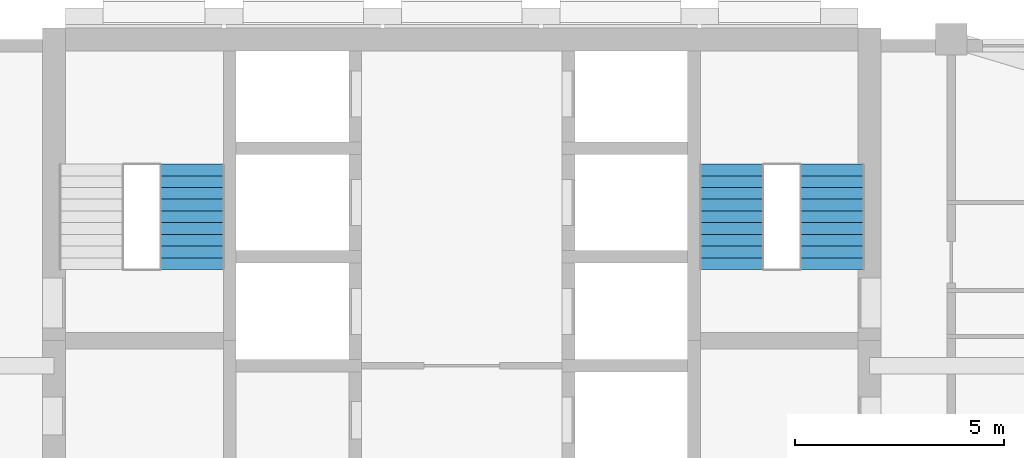
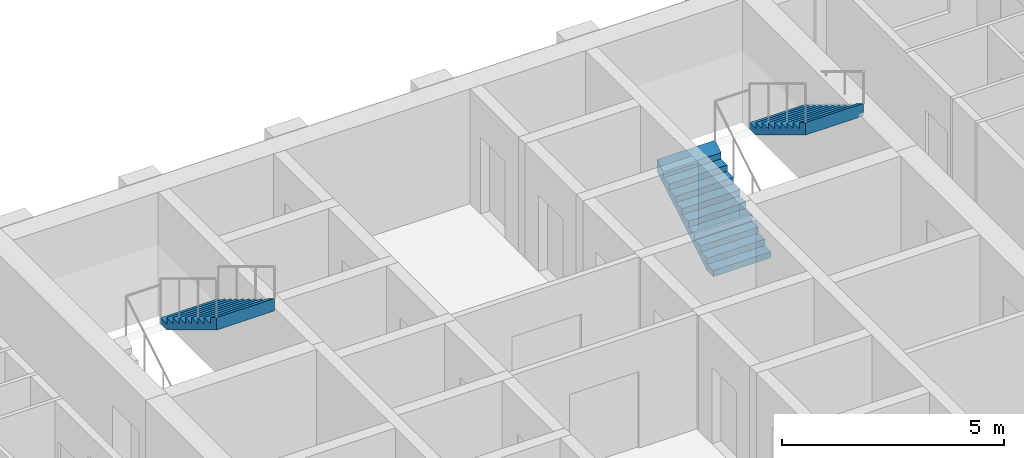
# One storey, part 11 of 13: 3 stair flights, 2 elements without a shape of their own.
"""IFC4 building model written with IfcOpenShell, lengths in metres."""

from ifc_helpers import new_model, si_unit, direction, frame, origin, place, context, subcontext, project, spatial, triangles, material, type_object, element, aggregate, save


model = new_model("IFC4")

# Units and contexts
model_context = context("Model", 3, precision=1e-05, world=origin(), true_north=direction((0.0, 1.0)))
body_context = subcontext(model_context, "Body", "Model", "MODEL_VIEW")
ifc_project = project(units=[si_unit("LENGTHUNIT", "METRE"), si_unit("AREAUNIT", "SQUARE_METRE"), si_unit("VOLUMEUNIT", "CUBIC_METRE"), si_unit("PLANEANGLEUNIT", "RADIAN"), si_unit("MASSUNIT", "GRAM", prefix="KILO")], contexts=[model_context])

# Site, building, storey
site_placement = place(None, origin())
site = spatial("IfcSite", under=ifc_project, at=site_placement, CompositionType="ELEMENT")
building_placement = place(site_placement, origin())
building = spatial("IfcBuilding", under=site, at=building_placement, Name="Ludao Terraces", CompositionType="ELEMENT")
storey_placement = place(building_placement, frame((0.0, 0.0, 165.60009765625)))
storey = spatial("IfcBuildingStorey", under=building, at=storey_placement, Name="L45", CompositionType="ELEMENT", Elevation=165.60009765625)

# Stair, stair flight
ifc_material = material(Name="Concrete C40", Category="concrete")
stair_type = type_object("IfcStairType", Name="INT Stair", PredefinedType="HALF_TURN_STAIR", material=ifc_material)
stair_1_placement = place(storey_placement, origin())
stair_1 = element("IfcStair", 1, at=stair_1_placement, inside=storey, type_object=stair_type, Name="EXIT STAIR 1", PredefinedType="HALF_TURN_STAIR")
stair_flight_type = type_object("IfcStairFlightType", Name="INT Stair flight", PredefinedType="STRAIGHT", material=ifc_material)
stair_flight_1_placement = place(storey_placement, frame((78.550048828125, 81.52001953125, 1.699951171875), z_axis=(0.0, 0.0, 1.0), x_axis=(0.0, -1.0, 0.0)))
stair_flight_1 = element("IfcStairFlight", 2, at=stair_flight_1_placement, type_object=stair_flight_type, Name="ST1 flight 2", NumberOfRisers=10, NumberOfTreads=9, PredefinedType="STRAIGHT", RiserHeight=0.17, TreadLength=0.28, context=body_context, shape_type="Tessellation", body=[
    triangles([(0.0, -0.75, 0.0), (0.0, -0.5, 0.0), (0.0, -0.25, 0.0), (0.0, 0.0, 0.0), (0.0, 0.25, 0.0), (0.0, 0.5, 0.0), (0.0, 0.75, 0.0), (0.0, -0.75, 0.169921875), (0.0, -0.5, 0.169921875), (0.0, -0.25, 0.169921875), (0.0, 0.0, 0.169921875), (0.0, 0.25, 0.169921875), (0.0, 0.5, 0.169921875), (0.0, 0.75, 0.169921875), (0.280029296875, -0.75, 0.169921875), (0.280029296875, -0.5, 0.169921875), (0.280029296875, -0.25, 0.169921875), (0.280029296875, 0.0, 0.169921875), (0.280029296875, 0.25, 0.169921875), (0.280029296875, 0.5, 0.169921875), (0.280029296875, 0.75, 0.169921875), (0.280029296875, -0.75, 0.340087890625), (0.280029296875, -0.5, 0.340087890625), (0.280029296875, -0.25, 0.340087890625), (0.280029296875, 0.0, 0.340087890625), (0.280029296875, 0.25, 0.340087890625), (0.280029296875, 0.5, 0.340087890625), (0.280029296875, 0.75, 0.340087890625), (0.56005859375, -0.75, 0.340087890625), (0.56005859375, -0.5, 0.340087890625), (0.56005859375, -0.25, 0.340087890625), (0.56005859375, 0.0, 0.340087890625), (0.56005859375, 0.25, 0.340087890625), (0.56005859375, 0.5, 0.340087890625), (0.56005859375, 0.75, 0.340087890625), (0.56005859375, -0.75, 0.510009765625), (0.56005859375, -0.5, 0.510009765625), (0.56005859375, -0.25, 0.510009765625), (0.56005859375, 0.0, 0.510009765625), (0.56005859375, 0.25, 0.510009765625), (0.56005859375, 0.5, 0.510009765625), (0.56005859375, 0.75, 0.510009765625), (0.840087890625, -0.75, 0.510009765625), (0.840087890625, -0.5, 0.510009765625), (0.840087890625, -0.25, 0.510009765625), (0.840087890625, 0.0, 0.510009765625), (0.840087890625, 0.25, 0.510009765625), (0.840087890625, 0.5, 0.510009765625), (0.840087890625, 0.75, 0.510009765625), (0.840087890625, -0.75, 0.679931640625), (0.840087890625, -0.5, 0.679931640625), (0.840087890625, -0.25, 0.679931640625), (0.840087890625, 0.0, 0.679931640625), (0.840087890625, 0.25, 0.679931640625), (0.840087890625, 0.5, 0.679931640625), (0.840087890625, 0.75, 0.679931640625), (1.1201171875, -0.75, 0.679931640625), (1.1201171875, -0.5, 0.679931640625), (1.1201171875, -0.25, 0.679931640625), (1.1201171875, 0.0, 0.679931640625), (1.1201171875, 0.25, 0.679931640625), (1.1201171875, 0.5, 0.679931640625), (1.1201171875, 0.75, 0.679931640625), (1.1201171875, -0.75, 0.85009765625), (1.1201171875, -0.5, 0.85009765625), (1.1201171875, -0.25, 0.85009765625), (1.1201171875, 0.0, 0.85009765625), (1.1201171875, 0.25, 0.85009765625), (1.1201171875, 0.5, 0.85009765625), (1.1201171875, 0.75, 0.85009765625), (1.39990234375, -0.75, 0.85009765625), (1.39990234375, -0.5, 0.85009765625), (1.39990234375, -0.25, 0.85009765625), (1.39990234375, 0.0, 0.85009765625), (1.39990234375, 0.25, 0.85009765625), (1.39990234375, 0.5, 0.85009765625), (1.39990234375, 0.75, 0.85009765625), (1.39990234375, -0.75, 1.02001953125), (1.39990234375, -0.5, 1.02001953125), (1.39990234375, -0.25, 1.02001953125), (1.39990234375, 0.0, 1.02001953125), (1.39990234375, 0.25, 1.02001953125), (1.39990234375, 0.5, 1.02001953125), (1.39990234375, 0.75, 1.02001953125), (1.679931640625, -0.75, 1.02001953125), (1.679931640625, -0.5, 1.02001953125), (1.679931640625, -0.25, 1.02001953125), (1.679931640625, 0.0, 1.02001953125), (1.679931640625, 0.25, 1.02001953125), (1.679931640625, 0.5, 1.02001953125), (1.679931640625, 0.75, 1.02001953125), (1.679931640625, -0.75, 1.18994140625), (1.679931640625, -0.5, 1.18994140625), (1.679931640625, -0.25, 1.18994140625), (1.679931640625, 0.0, 1.18994140625), (1.679931640625, 0.25, 1.18994140625), (1.679931640625, 0.5, 1.18994140625), (1.679931640625, 0.75, 1.18994140625), (1.9599609375, -0.75, 1.18994140625), (1.9599609375, -0.5, 1.18994140625), (1.9599609375, -0.25, 1.18994140625), (1.9599609375, 0.0, 1.18994140625), (1.9599609375, 0.25, 1.18994140625), (1.9599609375, 0.5, 1.18994140625), (1.9599609375, 0.75, 1.18994140625), (1.9599609375, -0.75, 1.360107421875), (1.9599609375, -0.5, 1.360107421875), (1.9599609375, -0.25, 1.360107421875), (1.9599609375, 0.0, 1.360107421875), (1.9599609375, 0.25, 1.360107421875), (1.9599609375, 0.5, 1.360107421875), (1.9599609375, 0.75, 1.360107421875), (2.239990234375, -0.75, 1.360107421875), (2.239990234375, -0.5, 1.360107421875), (2.239990234375, -0.25, 1.360107421875), (2.239990234375, 0.0, 1.360107421875), (2.239990234375, 0.25, 1.360107421875), (2.239990234375, 0.5, 1.360107421875), (2.239990234375, 0.75, 1.360107421875), (2.239990234375, -0.75, 1.530029296875), (2.239990234375, -0.5, 1.530029296875), (2.239990234375, -0.25, 1.530029296875), (2.239990234375, 0.0, 1.530029296875), (2.239990234375, 0.25, 1.530029296875), (2.239990234375, 0.5, 1.530029296875), (2.239990234375, 0.75, 1.530029296875), (2.52001953125, -0.75, 1.699951171875), (2.52001953125, -0.5, 1.699951171875), (2.52001953125, -0.25, 1.699951171875), (2.52001953125, 0.0, 1.699951171875), (2.52001953125, 0.25, 1.699951171875), (2.52001953125, 0.5, 1.699951171875), (2.52001953125, 0.75, 1.699951171875), (2.52001953125, -0.75, 1.354736328125), (2.52001953125, -0.5, 1.354736328125), (2.52001953125, -0.25, 1.354736328125), (2.52001953125, 0.0, 1.354736328125), (2.52001953125, 0.25, 1.354736328125), (2.52001953125, 0.5, 1.354736328125), (2.52001953125, 0.75, 1.354736328125), (0.288818359375, -0.75, 0.0), (0.288818359375, -0.5, 0.0), (0.288818359375, -0.25, 0.0), (0.288818359375, 0.0, 0.0), (0.288818359375, 0.25, 0.0), (0.288818359375, 0.5, 0.0), (0.288818359375, 0.75, 0.0)], [[1, 141, 134], [7, 140, 147], [134, 127, 120], [140, 126, 133], [134, 120, 113], [140, 119, 126], [134, 113, 106], [140, 112, 119], [134, 106, 99], [140, 105, 112], [99, 92, 85], [105, 91, 98], [134, 99, 85], [140, 91, 105], [85, 78, 71], [91, 77, 84], [134, 85, 71], [140, 77, 91], [71, 64, 57], [77, 63, 70], [134, 71, 57], [140, 63, 77], [57, 50, 43], [63, 49, 56], [134, 57, 43], [140, 49, 63], [43, 36, 29], [49, 35, 42], [134, 43, 29], [140, 35, 49], [29, 22, 15], [35, 21, 28], [134, 29, 15], [140, 21, 35], [1, 134, 15], [7, 21, 140], [15, 8, 1], [21, 7, 14], [1, 9, 2], [1, 8, 9], [2, 10, 3], [2, 9, 10], [3, 11, 4], [3, 10, 11], [4, 12, 5], [4, 11, 12], [5, 13, 6], [5, 12, 13], [6, 14, 7], [6, 13, 14], [8, 16, 9], [8, 15, 16], [9, 17, 10], [9, 16, 17], [10, 18, 11], [10, 17, 18], [11, 19, 12], [11, 18, 19], [12, 20, 13], [12, 19, 20], [13, 21, 14], [13, 20, 21], [15, 23, 16], [15, 22, 23], [16, 24, 17], [16, 23, 24], [17, 25, 18], [17, 24, 25], [18, 26, 19], [18, 25, 26], [19, 27, 20], [19, 26, 27], [20, 28, 21], [20, 27, 28], [22, 30, 23], [22, 29, 30], [23, 31, 24], [23, 30, 31], [24, 32, 25], [24, 31, 32], [25, 33, 26], [25, 32, 33], [26, 34, 27], [26, 33, 34], [27, 35, 28], [27, 34, 35], [29, 37, 30], [29, 36, 37], [30, 38, 31], [30, 37, 38], [31, 39, 32], [31, 38, 39], [32, 40, 33], [32, 39, 40], [33, 41, 34], [33, 40, 41], [34, 42, 35], [34, 41, 42], [36, 44, 37], [36, 43, 44], [37, 45, 38], [37, 44, 45], [38, 46, 39], [38, 45, 46], [39, 47, 40], [39, 46, 47], [40, 48, 41], [40, 47, 48], [41, 49, 42], [41, 48, 49], [43, 51, 44], [43, 50, 51], [44, 52, 45], [44, 51, 52], [45, 53, 46], [45, 52, 53], [46, 54, 47], [46, 53, 54], [47, 55, 48], [47, 54, 55], [48, 56, 49], [48, 55, 56], [50, 58, 51], [50, 57, 58], [51, 59, 52], [51, 58, 59], [52, 60, 53], [52, 59, 60], [53, 61, 54], [53, 60, 61], [54, 62, 55], [54, 61, 62], [55, 63, 56], [55, 62, 63], [57, 65, 58], [57, 64, 65], [58, 66, 59], [58, 65, 66], [59, 67, 60], [59, 66, 67], [60, 68, 61], [60, 67, 68], [61, 69, 62], [61, 68, 69], [62, 70, 63], [62, 69, 70], [64, 72, 65], [64, 71, 72], [65, 73, 66], [65, 72, 73], [66, 74, 67], [66, 73, 74], [67, 75, 68], [67, 74, 75], [68, 76, 69], [68, 75, 76], [69, 77, 70], [69, 76, 77], [71, 79, 72], [71, 78, 79], [72, 80, 73], [72, 79, 80], [73, 81, 74], [73, 80, 81], [74, 82, 75], [74, 81, 82], [75, 83, 76], [75, 82, 83], [76, 84, 77], [76, 83, 84], [78, 86, 79], [78, 85, 86], [79, 87, 80], [79, 86, 87], [80, 88, 81], [80, 87, 88], [81, 89, 82], [81, 88, 89], [82, 90, 83], [82, 89, 90], [83, 91, 84], [83, 90, 91], [85, 93, 86], [85, 92, 93], [86, 94, 87], [86, 93, 94], [87, 95, 88], [87, 94, 95], [88, 96, 89], [88, 95, 96], [89, 97, 90], [89, 96, 97], [90, 98, 91], [90, 97, 98], [92, 100, 93], [92, 99, 100], [93, 101, 94], [93, 100, 101], [94, 102, 95], [94, 101, 102], [95, 103, 96], [95, 102, 103], [96, 104, 97], [96, 103, 104], [97, 105, 98], [97, 104, 105], [99, 107, 100], [99, 106, 107], [100, 108, 101], [100, 107, 108], [101, 109, 102], [101, 108, 109], [102, 110, 103], [102, 109, 110], [103, 111, 104], [103, 110, 111], [104, 112, 105], [104, 111, 112], [106, 114, 107], [106, 113, 114], [107, 115, 108], [107, 114, 115], [108, 116, 109], [108, 115, 116], [109, 117, 110], [109, 116, 117], [110, 118, 111], [110, 117, 118], [111, 119, 112], [111, 118, 119], [113, 121, 114], [113, 120, 121], [114, 122, 115], [114, 121, 122], [115, 123, 116], [115, 122, 123], [116, 124, 117], [116, 123, 124], [117, 125, 118], [117, 124, 125], [118, 126, 119], [118, 125, 126], [120, 128, 121], [120, 127, 128], [121, 129, 122], [121, 128, 129], [122, 130, 123], [122, 129, 130], [123, 131, 124], [123, 130, 131], [124, 132, 125], [124, 131, 132], [125, 133, 126], [125, 132, 133], [127, 135, 128], [127, 134, 135], [128, 136, 129], [128, 135, 136], [129, 137, 130], [129, 136, 137], [130, 138, 131], [130, 137, 138], [131, 139, 132], [131, 138, 139], [132, 140, 133], [132, 139, 140], [134, 142, 135], [134, 141, 142], [135, 143, 136], [135, 142, 143], [136, 144, 137], [136, 143, 144], [137, 145, 138], [137, 144, 145], [138, 146, 139], [138, 145, 146], [139, 147, 140], [139, 146, 147], [141, 2, 142], [141, 1, 2], [142, 3, 143], [142, 2, 3], [143, 4, 144], [143, 3, 4], [144, 5, 145], [144, 4, 5], [145, 6, 146], [145, 5, 6], [146, 7, 147], [146, 6, 7]], closed=True),
])
aggregate(stair_1, [stair_flight_1])

# Stair, stair flights
stair_2_placement = place(storey_placement, origin())
stair_2 = element("IfcStair", 3, at=stair_2_placement, inside=storey, type_object=stair_type, Name="EXIT STAIR 2", PredefinedType="HALF_TURN_STAIR")
stair_flight_2_placement = place(storey_placement, frame((91.449951171875, 79.0, 0.0), z_axis=(0.0, 0.0, 1.0), x_axis=(0.0, 1.0, 0.0)))
stair_flight_2 = element("IfcStairFlight", 4, at=stair_flight_2_placement, type_object=stair_flight_type, Name="ST2 flight 1", NumberOfRisers=10, NumberOfTreads=9, PredefinedType="STRAIGHT", RiserHeight=0.17, TreadLength=0.28, context=body_context, shape_type="Tessellation", body=[
    triangles([(0.0, -0.75, 0.0), (0.0, -0.5, 0.0), (0.0, -0.25, 0.0), (0.0, 0.0, 0.0), (0.0, 0.25, 0.0), (0.0, 0.5, 0.0), (0.0, 0.75, 0.0), (0.0, -0.75, 0.169921875), (0.0, -0.5, 0.169921875), (0.0, -0.25, 0.169921875), (0.0, 0.0, 0.169921875), (0.0, 0.25, 0.169921875), (0.0, 0.5, 0.169921875), (0.0, 0.75, 0.169921875), (0.280029296875, -0.75, 0.169921875), (0.280029296875, -0.5, 0.169921875), (0.280029296875, -0.25, 0.169921875), (0.280029296875, 0.0, 0.169921875), (0.280029296875, 0.25, 0.169921875), (0.280029296875, 0.5, 0.169921875), (0.280029296875, 0.75, 0.169921875), (0.280029296875, -0.75, 0.340087890625), (0.280029296875, -0.5, 0.340087890625), (0.280029296875, -0.25, 0.340087890625), (0.280029296875, 0.0, 0.340087890625), (0.280029296875, 0.25, 0.340087890625), (0.280029296875, 0.5, 0.340087890625), (0.280029296875, 0.75, 0.340087890625), (0.56005859375, -0.75, 0.340087890625), (0.56005859375, -0.5, 0.340087890625), (0.56005859375, -0.25, 0.340087890625), (0.56005859375, 0.0, 0.340087890625), (0.56005859375, 0.25, 0.340087890625), (0.56005859375, 0.5, 0.340087890625), (0.56005859375, 0.75, 0.340087890625), (0.56005859375, -0.75, 0.510009765625), (0.56005859375, -0.5, 0.510009765625), (0.56005859375, -0.25, 0.510009765625), (0.56005859375, 0.0, 0.510009765625), (0.56005859375, 0.25, 0.510009765625), (0.56005859375, 0.5, 0.510009765625), (0.56005859375, 0.75, 0.510009765625), (0.840087890625, -0.75, 0.510009765625), (0.840087890625, -0.5, 0.510009765625), (0.840087890625, -0.25, 0.510009765625), (0.840087890625, 0.0, 0.510009765625), (0.840087890625, 0.25, 0.510009765625), (0.840087890625, 0.5, 0.510009765625), (0.840087890625, 0.75, 0.510009765625), (0.840087890625, -0.75, 0.679931640625), (0.840087890625, -0.5, 0.679931640625), (0.840087890625, -0.25, 0.679931640625), (0.840087890625, 0.0, 0.679931640625), (0.840087890625, 0.25, 0.679931640625), (0.840087890625, 0.5, 0.679931640625), (0.840087890625, 0.75, 0.679931640625), (1.1201171875, -0.75, 0.679931640625), (1.1201171875, -0.5, 0.679931640625), (1.1201171875, -0.25, 0.679931640625), (1.1201171875, 0.0, 0.679931640625), (1.1201171875, 0.25, 0.679931640625), (1.1201171875, 0.5, 0.679931640625), (1.1201171875, 0.75, 0.679931640625), (1.1201171875, -0.75, 0.85009765625), (1.1201171875, -0.5, 0.85009765625), (1.1201171875, -0.25, 0.85009765625), (1.1201171875, 0.0, 0.85009765625), (1.1201171875, 0.25, 0.85009765625), (1.1201171875, 0.5, 0.85009765625), (1.1201171875, 0.75, 0.85009765625), (1.39990234375, -0.75, 0.85009765625), (1.39990234375, -0.5, 0.85009765625), (1.39990234375, -0.25, 0.85009765625), (1.39990234375, 0.0, 0.85009765625), (1.39990234375, 0.25, 0.85009765625), (1.39990234375, 0.5, 0.85009765625), (1.39990234375, 0.75, 0.85009765625), (1.39990234375, -0.75, 1.02001953125), (1.39990234375, -0.5, 1.02001953125), (1.39990234375, -0.25, 1.02001953125), (1.39990234375, 0.0, 1.02001953125), (1.39990234375, 0.25, 1.02001953125), (1.39990234375, 0.5, 1.02001953125), (1.39990234375, 0.75, 1.02001953125), (1.679931640625, -0.75, 1.02001953125), (1.679931640625, -0.5, 1.02001953125), (1.679931640625, -0.25, 1.02001953125), (1.679931640625, 0.0, 1.02001953125), (1.679931640625, 0.25, 1.02001953125), (1.679931640625, 0.5, 1.02001953125), (1.679931640625, 0.75, 1.02001953125), (1.679931640625, -0.75, 1.18994140625), (1.679931640625, -0.5, 1.18994140625), (1.679931640625, -0.25, 1.18994140625), (1.679931640625, 0.0, 1.18994140625), (1.679931640625, 0.25, 1.18994140625), (1.679931640625, 0.5, 1.18994140625), (1.679931640625, 0.75, 1.18994140625), (1.9599609375, -0.75, 1.18994140625), (1.9599609375, -0.5, 1.18994140625), (1.9599609375, -0.25, 1.18994140625), (1.9599609375, 0.0, 1.18994140625), (1.9599609375, 0.25, 1.18994140625), (1.9599609375, 0.5, 1.18994140625), (1.9599609375, 0.75, 1.18994140625), (1.9599609375, -0.75, 1.360107421875), (1.9599609375, -0.5, 1.360107421875), (1.9599609375, -0.25, 1.360107421875), (1.9599609375, 0.0, 1.360107421875), (1.9599609375, 0.25, 1.360107421875), (1.9599609375, 0.5, 1.360107421875), (1.9599609375, 0.75, 1.360107421875), (2.239990234375, -0.75, 1.360107421875), (2.239990234375, -0.5, 1.360107421875), (2.239990234375, -0.25, 1.360107421875), (2.239990234375, 0.0, 1.360107421875), (2.239990234375, 0.25, 1.360107421875), (2.239990234375, 0.5, 1.360107421875), (2.239990234375, 0.75, 1.360107421875), (2.239990234375, -0.75, 1.530029296875), (2.239990234375, -0.5, 1.530029296875), (2.239990234375, -0.25, 1.530029296875), (2.239990234375, 0.0, 1.530029296875), (2.239990234375, 0.25, 1.530029296875), (2.239990234375, 0.5, 1.530029296875), (2.239990234375, 0.75, 1.530029296875), (2.52001953125, -0.75, 1.699951171875), (2.52001953125, -0.5, 1.699951171875), (2.52001953125, -0.25, 1.699951171875), (2.52001953125, 0.0, 1.699951171875), (2.52001953125, 0.25, 1.699951171875), (2.52001953125, 0.5, 1.699951171875), (2.52001953125, 0.75, 1.699951171875), (2.52001953125, -0.75, 1.354736328125), (2.52001953125, -0.5, 1.354736328125), (2.52001953125, -0.25, 1.354736328125), (2.52001953125, 0.0, 1.354736328125), (2.52001953125, 0.25, 1.354736328125), (2.52001953125, 0.5, 1.354736328125), (2.52001953125, 0.75, 1.354736328125), (0.288818359375, -0.75, 0.0), (0.288818359375, -0.5, 0.0), (0.288818359375, -0.25, 0.0), (0.288818359375, 0.0, 0.0), (0.288818359375, 0.25, 0.0), (0.288818359375, 0.5, 0.0), (0.288818359375, 0.75, 0.0)], [[1, 141, 134], [7, 140, 147], [134, 127, 120], [140, 126, 133], [134, 120, 113], [140, 119, 126], [134, 113, 106], [140, 112, 119], [134, 106, 99], [140, 105, 112], [99, 92, 85], [105, 91, 98], [134, 99, 85], [140, 91, 105], [85, 78, 71], [91, 77, 84], [134, 85, 71], [140, 77, 91], [71, 64, 57], [77, 63, 70], [134, 71, 57], [140, 63, 77], [57, 50, 43], [63, 49, 56], [134, 57, 43], [140, 49, 63], [43, 36, 29], [49, 35, 42], [134, 43, 29], [140, 35, 49], [29, 22, 15], [35, 21, 28], [134, 29, 15], [140, 21, 35], [1, 134, 15], [7, 21, 140], [15, 8, 1], [21, 7, 14], [1, 9, 2], [1, 8, 9], [2, 10, 3], [2, 9, 10], [3, 11, 4], [3, 10, 11], [4, 12, 5], [4, 11, 12], [5, 13, 6], [5, 12, 13], [6, 14, 7], [6, 13, 14], [8, 16, 9], [8, 15, 16], [9, 17, 10], [9, 16, 17], [10, 18, 11], [10, 17, 18], [11, 19, 12], [11, 18, 19], [12, 20, 13], [12, 19, 20], [13, 21, 14], [13, 20, 21], [15, 23, 16], [15, 22, 23], [16, 24, 17], [16, 23, 24], [17, 25, 18], [17, 24, 25], [18, 26, 19], [18, 25, 26], [19, 27, 20], [19, 26, 27], [20, 28, 21], [20, 27, 28], [22, 30, 23], [22, 29, 30], [23, 31, 24], [23, 30, 31], [24, 32, 25], [24, 31, 32], [25, 33, 26], [25, 32, 33], [26, 34, 27], [26, 33, 34], [27, 35, 28], [27, 34, 35], [29, 37, 30], [29, 36, 37], [30, 38, 31], [30, 37, 38], [31, 39, 32], [31, 38, 39], [32, 40, 33], [32, 39, 40], [33, 41, 34], [33, 40, 41], [34, 42, 35], [34, 41, 42], [36, 44, 37], [36, 43, 44], [37, 45, 38], [37, 44, 45], [38, 46, 39], [38, 45, 46], [39, 47, 40], [39, 46, 47], [40, 48, 41], [40, 47, 48], [41, 49, 42], [41, 48, 49], [43, 51, 44], [43, 50, 51], [44, 52, 45], [44, 51, 52], [45, 53, 46], [45, 52, 53], [46, 54, 47], [46, 53, 54], [47, 55, 48], [47, 54, 55], [48, 56, 49], [48, 55, 56], [50, 58, 51], [50, 57, 58], [51, 59, 52], [51, 58, 59], [52, 60, 53], [52, 59, 60], [53, 61, 54], [53, 60, 61], [54, 62, 55], [54, 61, 62], [55, 63, 56], [55, 62, 63], [57, 65, 58], [57, 64, 65], [58, 66, 59], [58, 65, 66], [59, 67, 60], [59, 66, 67], [60, 68, 61], [60, 67, 68], [61, 69, 62], [61, 68, 69], [62, 70, 63], [62, 69, 70], [64, 72, 65], [64, 71, 72], [65, 73, 66], [65, 72, 73], [66, 74, 67], [66, 73, 74], [67, 75, 68], [67, 74, 75], [68, 76, 69], [68, 75, 76], [69, 77, 70], [69, 76, 77], [71, 79, 72], [71, 78, 79], [72, 80, 73], [72, 79, 80], [73, 81, 74], [73, 80, 81], [74, 82, 75], [74, 81, 82], [75, 83, 76], [75, 82, 83], [76, 84, 77], [76, 83, 84], [78, 86, 79], [78, 85, 86], [79, 87, 80], [79, 86, 87], [80, 88, 81], [80, 87, 88], [81, 89, 82], [81, 88, 89], [82, 90, 83], [82, 89, 90], [83, 91, 84], [83, 90, 91], [85, 93, 86], [85, 92, 93], [86, 94, 87], [86, 93, 94], [87, 95, 88], [87, 94, 95], [88, 96, 89], [88, 95, 96], [89, 97, 90], [89, 96, 97], [90, 98, 91], [90, 97, 98], [92, 100, 93], [92, 99, 100], [93, 101, 94], [93, 100, 101], [94, 102, 95], [94, 101, 102], [95, 103, 96], [95, 102, 103], [96, 104, 97], [96, 103, 104], [97, 105, 98], [97, 104, 105], [99, 107, 100], [99, 106, 107], [100, 108, 101], [100, 107, 108], [101, 109, 102], [101, 108, 109], [102, 110, 103], [102, 109, 110], [103, 111, 104], [103, 110, 111], [104, 112, 105], [104, 111, 112], [106, 114, 107], [106, 113, 114], [107, 115, 108], [107, 114, 115], [108, 116, 109], [108, 115, 116], [109, 117, 110], [109, 116, 117], [110, 118, 111], [110, 117, 118], [111, 119, 112], [111, 118, 119], [113, 121, 114], [113, 120, 121], [114, 122, 115], [114, 121, 122], [115, 123, 116], [115, 122, 123], [116, 124, 117], [116, 123, 124], [117, 125, 118], [117, 124, 125], [118, 126, 119], [118, 125, 126], [120, 128, 121], [120, 127, 128], [121, 129, 122], [121, 128, 129], [122, 130, 123], [122, 129, 130], [123, 131, 124], [123, 130, 131], [124, 132, 125], [124, 131, 132], [125, 133, 126], [125, 132, 133], [127, 135, 128], [127, 134, 135], [128, 136, 129], [128, 135, 136], [129, 137, 130], [129, 136, 137], [130, 138, 131], [130, 137, 138], [131, 139, 132], [131, 138, 139], [132, 140, 133], [132, 139, 140], [134, 142, 135], [134, 141, 142], [135, 143, 136], [135, 142, 143], [136, 144, 137], [136, 143, 144], [137, 145, 138], [137, 144, 145], [138, 146, 139], [138, 145, 146], [139, 147, 140], [139, 146, 147], [141, 2, 142], [141, 1, 2], [142, 3, 143], [142, 2, 3], [143, 4, 144], [143, 3, 4], [144, 5, 145], [144, 4, 5], [145, 6, 146], [145, 5, 6], [146, 7, 147], [146, 6, 7]], closed=True),
])
stair_flight_3_placement = place(storey_placement, frame((93.85009765625, 81.52001953125, 1.699951171875), z_axis=(0.0, 0.0, 1.0), x_axis=(0.0, -1.0, 0.0)))
stair_flight_3 = element("IfcStairFlight", 5, at=stair_flight_3_placement, type_object=stair_flight_type, Name="ST2 flight 2", NumberOfRisers=10, NumberOfTreads=9, PredefinedType="STRAIGHT", RiserHeight=0.17, TreadLength=0.28, context=body_context, shape_type="Tessellation", body=[
    triangles([(0.0, -0.75, 0.0), (0.0, -0.5, 0.0), (0.0, -0.25, 0.0), (0.0, 0.0, 0.0), (0.0, 0.25, 0.0), (0.0, 0.5, 0.0), (0.0, 0.75, 0.0), (0.0, -0.75, 0.169921875), (0.0, -0.5, 0.169921875), (0.0, -0.25, 0.169921875), (0.0, 0.0, 0.169921875), (0.0, 0.25, 0.169921875), (0.0, 0.5, 0.169921875), (0.0, 0.75, 0.169921875), (0.280029296875, -0.75, 0.169921875), (0.280029296875, -0.5, 0.169921875), (0.280029296875, -0.25, 0.169921875), (0.280029296875, 0.0, 0.169921875), (0.280029296875, 0.25, 0.169921875), (0.280029296875, 0.5, 0.169921875), (0.280029296875, 0.75, 0.169921875), (0.280029296875, -0.75, 0.340087890625), (0.280029296875, -0.5, 0.340087890625), (0.280029296875, -0.25, 0.340087890625), (0.280029296875, 0.0, 0.340087890625), (0.280029296875, 0.25, 0.340087890625), (0.280029296875, 0.5, 0.340087890625), (0.280029296875, 0.75, 0.340087890625), (0.56005859375, -0.75, 0.340087890625), (0.56005859375, -0.5, 0.340087890625), (0.56005859375, -0.25, 0.340087890625), (0.56005859375, 0.0, 0.340087890625), (0.56005859375, 0.25, 0.340087890625), (0.56005859375, 0.5, 0.340087890625), (0.56005859375, 0.75, 0.340087890625), (0.56005859375, -0.75, 0.510009765625), (0.56005859375, -0.5, 0.510009765625), (0.56005859375, -0.25, 0.510009765625), (0.56005859375, 0.0, 0.510009765625), (0.56005859375, 0.25, 0.510009765625), (0.56005859375, 0.5, 0.510009765625), (0.56005859375, 0.75, 0.510009765625), (0.840087890625, -0.75, 0.510009765625), (0.840087890625, -0.5, 0.510009765625), (0.840087890625, -0.25, 0.510009765625), (0.840087890625, 0.0, 0.510009765625), (0.840087890625, 0.25, 0.510009765625), (0.840087890625, 0.5, 0.510009765625), (0.840087890625, 0.75, 0.510009765625), (0.840087890625, -0.75, 0.679931640625), (0.840087890625, -0.5, 0.679931640625), (0.840087890625, -0.25, 0.679931640625), (0.840087890625, 0.0, 0.679931640625), (0.840087890625, 0.25, 0.679931640625), (0.840087890625, 0.5, 0.679931640625), (0.840087890625, 0.75, 0.679931640625), (1.1201171875, -0.75, 0.679931640625), (1.1201171875, -0.5, 0.679931640625), (1.1201171875, -0.25, 0.679931640625), (1.1201171875, 0.0, 0.679931640625), (1.1201171875, 0.25, 0.679931640625), (1.1201171875, 0.5, 0.679931640625), (1.1201171875, 0.75, 0.679931640625), (1.1201171875, -0.75, 0.85009765625), (1.1201171875, -0.5, 0.85009765625), (1.1201171875, -0.25, 0.85009765625), (1.1201171875, 0.0, 0.85009765625), (1.1201171875, 0.25, 0.85009765625), (1.1201171875, 0.5, 0.85009765625), (1.1201171875, 0.75, 0.85009765625), (1.39990234375, -0.75, 0.85009765625), (1.39990234375, -0.5, 0.85009765625), (1.39990234375, -0.25, 0.85009765625), (1.39990234375, 0.0, 0.85009765625), (1.39990234375, 0.25, 0.85009765625), (1.39990234375, 0.5, 0.85009765625), (1.39990234375, 0.75, 0.85009765625), (1.39990234375, -0.75, 1.02001953125), (1.39990234375, -0.5, 1.02001953125), (1.39990234375, -0.25, 1.02001953125), (1.39990234375, 0.0, 1.02001953125), (1.39990234375, 0.25, 1.02001953125), (1.39990234375, 0.5, 1.02001953125), (1.39990234375, 0.75, 1.02001953125), (1.679931640625, -0.75, 1.02001953125), (1.679931640625, -0.5, 1.02001953125), (1.679931640625, -0.25, 1.02001953125), (1.679931640625, 0.0, 1.02001953125), (1.679931640625, 0.25, 1.02001953125), (1.679931640625, 0.5, 1.02001953125), (1.679931640625, 0.75, 1.02001953125), (1.679931640625, -0.75, 1.18994140625), (1.679931640625, -0.5, 1.18994140625), (1.679931640625, -0.25, 1.18994140625), (1.679931640625, 0.0, 1.18994140625), (1.679931640625, 0.25, 1.18994140625), (1.679931640625, 0.5, 1.18994140625), (1.679931640625, 0.75, 1.18994140625), (1.9599609375, -0.75, 1.18994140625), (1.9599609375, -0.5, 1.18994140625), (1.9599609375, -0.25, 1.18994140625), (1.9599609375, 0.0, 1.18994140625), (1.9599609375, 0.25, 1.18994140625), (1.9599609375, 0.5, 1.18994140625), (1.9599609375, 0.75, 1.18994140625), (1.9599609375, -0.75, 1.360107421875), (1.9599609375, -0.5, 1.360107421875), (1.9599609375, -0.25, 1.360107421875), (1.9599609375, 0.0, 1.360107421875), (1.9599609375, 0.25, 1.360107421875), (1.9599609375, 0.5, 1.360107421875), (1.9599609375, 0.75, 1.360107421875), (2.239990234375, -0.75, 1.360107421875), (2.239990234375, -0.5, 1.360107421875), (2.239990234375, -0.25, 1.360107421875), (2.239990234375, 0.0, 1.360107421875), (2.239990234375, 0.25, 1.360107421875), (2.239990234375, 0.5, 1.360107421875), (2.239990234375, 0.75, 1.360107421875), (2.239990234375, -0.75, 1.530029296875), (2.239990234375, -0.5, 1.530029296875), (2.239990234375, -0.25, 1.530029296875), (2.239990234375, 0.0, 1.530029296875), (2.239990234375, 0.25, 1.530029296875), (2.239990234375, 0.5, 1.530029296875), (2.239990234375, 0.75, 1.530029296875), (2.52001953125, -0.75, 1.699951171875), (2.52001953125, -0.5, 1.699951171875), (2.52001953125, -0.25, 1.699951171875), (2.52001953125, 0.0, 1.699951171875), (2.52001953125, 0.25, 1.699951171875), (2.52001953125, 0.5, 1.699951171875), (2.52001953125, 0.75, 1.699951171875), (2.52001953125, -0.75, 1.354736328125), (2.52001953125, -0.5, 1.354736328125), (2.52001953125, -0.25, 1.354736328125), (2.52001953125, 0.0, 1.354736328125), (2.52001953125, 0.25, 1.354736328125), (2.52001953125, 0.5, 1.354736328125), (2.52001953125, 0.75, 1.354736328125), (0.288818359375, -0.75, 0.0), (0.288818359375, -0.5, 0.0), (0.288818359375, -0.25, 0.0), (0.288818359375, 0.0, 0.0), (0.288818359375, 0.25, 0.0), (0.288818359375, 0.5, 0.0), (0.288818359375, 0.75, 0.0)], [[1, 141, 134], [7, 140, 147], [134, 127, 120], [140, 126, 133], [134, 120, 113], [140, 119, 126], [134, 113, 106], [140, 112, 119], [134, 106, 99], [140, 105, 112], [99, 92, 85], [105, 91, 98], [134, 99, 85], [140, 91, 105], [85, 78, 71], [91, 77, 84], [134, 85, 71], [140, 77, 91], [71, 64, 57], [77, 63, 70], [134, 71, 57], [140, 63, 77], [57, 50, 43], [63, 49, 56], [134, 57, 43], [140, 49, 63], [43, 36, 29], [49, 35, 42], [134, 43, 29], [140, 35, 49], [29, 22, 15], [35, 21, 28], [134, 29, 15], [140, 21, 35], [1, 134, 15], [7, 21, 140], [15, 8, 1], [21, 7, 14], [1, 9, 2], [1, 8, 9], [2, 10, 3], [2, 9, 10], [3, 11, 4], [3, 10, 11], [4, 12, 5], [4, 11, 12], [5, 13, 6], [5, 12, 13], [6, 14, 7], [6, 13, 14], [8, 16, 9], [8, 15, 16], [9, 17, 10], [9, 16, 17], [10, 18, 11], [10, 17, 18], [11, 19, 12], [11, 18, 19], [12, 20, 13], [12, 19, 20], [13, 21, 14], [13, 20, 21], [15, 23, 16], [15, 22, 23], [16, 24, 17], [16, 23, 24], [17, 25, 18], [17, 24, 25], [18, 26, 19], [18, 25, 26], [19, 27, 20], [19, 26, 27], [20, 28, 21], [20, 27, 28], [22, 30, 23], [22, 29, 30], [23, 31, 24], [23, 30, 31], [24, 32, 25], [24, 31, 32], [25, 33, 26], [25, 32, 33], [26, 34, 27], [26, 33, 34], [27, 35, 28], [27, 34, 35], [29, 37, 30], [29, 36, 37], [30, 38, 31], [30, 37, 38], [31, 39, 32], [31, 38, 39], [32, 40, 33], [32, 39, 40], [33, 41, 34], [33, 40, 41], [34, 42, 35], [34, 41, 42], [36, 44, 37], [36, 43, 44], [37, 45, 38], [37, 44, 45], [38, 46, 39], [38, 45, 46], [39, 47, 40], [39, 46, 47], [40, 48, 41], [40, 47, 48], [41, 49, 42], [41, 48, 49], [43, 51, 44], [43, 50, 51], [44, 52, 45], [44, 51, 52], [45, 53, 46], [45, 52, 53], [46, 54, 47], [46, 53, 54], [47, 55, 48], [47, 54, 55], [48, 56, 49], [48, 55, 56], [50, 58, 51], [50, 57, 58], [51, 59, 52], [51, 58, 59], [52, 60, 53], [52, 59, 60], [53, 61, 54], [53, 60, 61], [54, 62, 55], [54, 61, 62], [55, 63, 56], [55, 62, 63], [57, 65, 58], [57, 64, 65], [58, 66, 59], [58, 65, 66], [59, 67, 60], [59, 66, 67], [60, 68, 61], [60, 67, 68], [61, 69, 62], [61, 68, 69], [62, 70, 63], [62, 69, 70], [64, 72, 65], [64, 71, 72], [65, 73, 66], [65, 72, 73], [66, 74, 67], [66, 73, 74], [67, 75, 68], [67, 74, 75], [68, 76, 69], [68, 75, 76], [69, 77, 70], [69, 76, 77], [71, 79, 72], [71, 78, 79], [72, 80, 73], [72, 79, 80], [73, 81, 74], [73, 80, 81], [74, 82, 75], [74, 81, 82], [75, 83, 76], [75, 82, 83], [76, 84, 77], [76, 83, 84], [78, 86, 79], [78, 85, 86], [79, 87, 80], [79, 86, 87], [80, 88, 81], [80, 87, 88], [81, 89, 82], [81, 88, 89], [82, 90, 83], [82, 89, 90], [83, 91, 84], [83, 90, 91], [85, 93, 86], [85, 92, 93], [86, 94, 87], [86, 93, 94], [87, 95, 88], [87, 94, 95], [88, 96, 89], [88, 95, 96], [89, 97, 90], [89, 96, 97], [90, 98, 91], [90, 97, 98], [92, 100, 93], [92, 99, 100], [93, 101, 94], [93, 100, 101], [94, 102, 95], [94, 101, 102], [95, 103, 96], [95, 102, 103], [96, 104, 97], [96, 103, 104], [97, 105, 98], [97, 104, 105], [99, 107, 100], [99, 106, 107], [100, 108, 101], [100, 107, 108], [101, 109, 102], [101, 108, 109], [102, 110, 103], [102, 109, 110], [103, 111, 104], [103, 110, 111], [104, 112, 105], [104, 111, 112], [106, 114, 107], [106, 113, 114], [107, 115, 108], [107, 114, 115], [108, 116, 109], [108, 115, 116], [109, 117, 110], [109, 116, 117], [110, 118, 111], [110, 117, 118], [111, 119, 112], [111, 118, 119], [113, 121, 114], [113, 120, 121], [114, 122, 115], [114, 121, 122], [115, 123, 116], [115, 122, 123], [116, 124, 117], [116, 123, 124], [117, 125, 118], [117, 124, 125], [118, 126, 119], [118, 125, 126], [120, 128, 121], [120, 127, 128], [121, 129, 122], [121, 128, 129], [122, 130, 123], [122, 129, 130], [123, 131, 124], [123, 130, 131], [124, 132, 125], [124, 131, 132], [125, 133, 126], [125, 132, 133], [127, 135, 128], [127, 134, 135], [128, 136, 129], [128, 135, 136], [129, 137, 130], [129, 136, 137], [130, 138, 131], [130, 137, 138], [131, 139, 132], [131, 138, 139], [132, 140, 133], [132, 139, 140], [134, 142, 135], [134, 141, 142], [135, 143, 136], [135, 142, 143], [136, 144, 137], [136, 143, 144], [137, 145, 138], [137, 144, 145], [138, 146, 139], [138, 145, 146], [139, 147, 140], [139, 146, 147], [141, 2, 142], [141, 1, 2], [142, 3, 143], [142, 2, 3], [143, 4, 144], [143, 3, 4], [144, 5, 145], [144, 4, 5], [145, 6, 146], [145, 5, 6], [146, 7, 147], [146, 6, 7]], closed=True),
])
aggregate(stair_2, [stair_flight_2, stair_flight_3])

save(model, "model.ifc")
